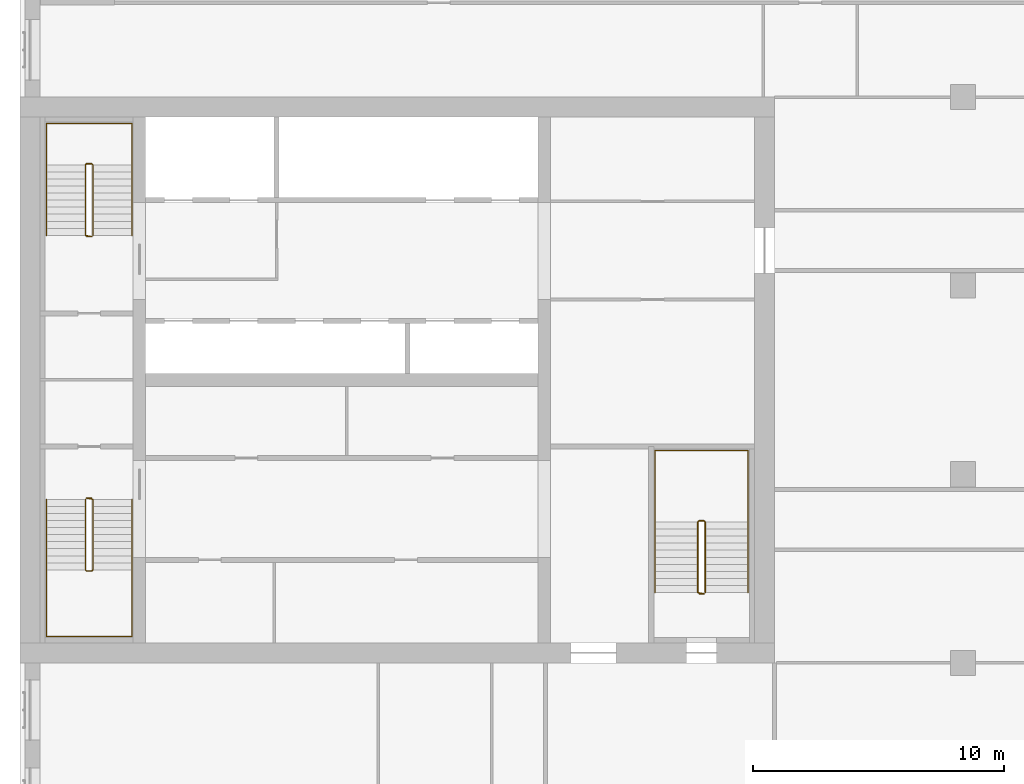
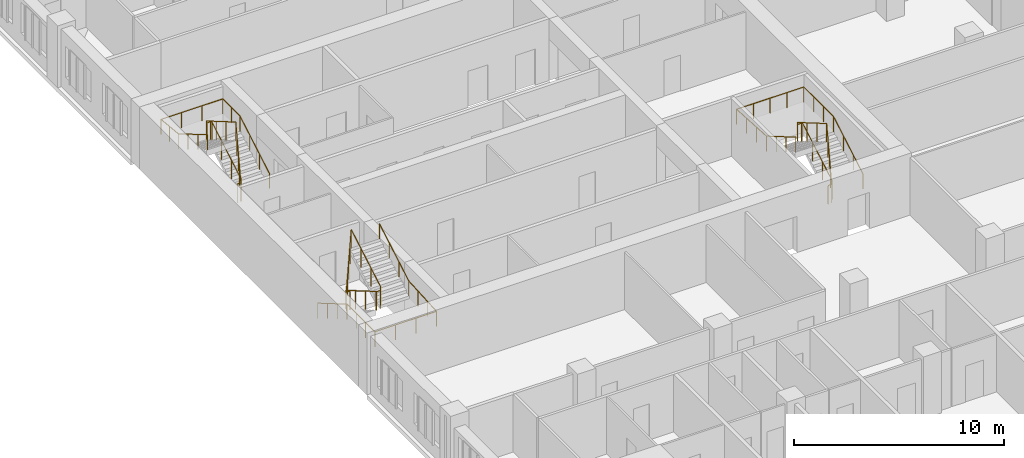
# One storey, part 14 of 14: 6 railings.
"""IFC4 building model written with IfcOpenShell, lengths in metres."""

from ifc_helpers import new_model, si_unit, direction, frame, origin, origin_2d, place, context, subcontext, project, spatial, circle, extrude, material, type_object, element, save


model = new_model("IFC4")

# Units and contexts
model_context = context("Model", 3, precision=1e-05, world=origin(), true_north=direction((0.0, 1.0)))
body_context = subcontext(model_context, "Body", "Model", "MODEL_VIEW")
ifc_project = project(units=[si_unit("LENGTHUNIT", "METRE"), si_unit("AREAUNIT", "SQUARE_METRE"), si_unit("VOLUMEUNIT", "CUBIC_METRE"), si_unit("PLANEANGLEUNIT", "RADIAN"), si_unit("MASSUNIT", "GRAM", prefix="KILO")], contexts=[model_context])

# Site, building, storey
site_placement = place(None, origin())
site = spatial("IfcSite", under=ifc_project, at=site_placement, CompositionType="ELEMENT")
building_placement = place(site_placement, origin())
building = spatial("IfcBuilding", under=site, at=building_placement, Name="Tamorin Gate", CompositionType="ELEMENT")
storey_placement = place(building_placement, frame((0.0, 0.0, 141.0)))
storey = spatial("IfcBuildingStorey", under=building, at=storey_placement, Name="L34", CompositionType="ELEMENT", Elevation=141.0)

# Railings
ifc_material_1 = material(Name="Painted steel balustrade", Category="steel")
railing_type_1 = type_object("IfcRailingType", Name="Stair guard 1100", PredefinedType="GUARDRAIL", material=ifc_material_1)
railing_1_placement = place(storey_placement, frame((32.60009765625, 66.5, 0.16357421875)))
element("IfcRailing", 1, at=railing_1_placement, inside=storey, type_object=railing_type_1, Name="L34 ST1 stair guard 1", PredefinedType="GUARDRAIL", context=body_context, shape_type="SweptSolid", body=[
    extrude(circle(Radius=0.02392578125, at=origin_2d()), frame((0.0, 0.0, 1.076171875), z_axis=(0.0, -0.863360870873, 0.504586966384), x_axis=(1.0, 0.0, 0.0)), (0.0, 0.0, 1.0), 3.2431640625),
    extrude(circle(Radius=0.02392578125, at=origin_2d()), frame((0.0, -2.800048828125, 2.71240234375), z_axis=(0.705375805398, -0.708833529934, 0.0), x_axis=(0.708833529934, 0.705375805398, 0.0)), (0.0, 0.0, 1.0), 0.070556640625),
    extrude(circle(Radius=0.02392578125, at=origin_2d()), frame((0.0498046875, -2.85009765625, 2.71240234375), z_axis=(1.0, 0.0, 0.0), x_axis=(0.0, 1.0, 0.0)), (0.0, 0.0, 1.0), 0.2001953125),
    extrude(circle(Radius=0.02392578125, at=origin_2d()), frame((0.25, -2.85009765625, 2.71240234375), z_axis=(0.279546231943, 0.280916556609, 0.91811752648), x_axis=(-0.708833529934, 0.705375805398, 0.0)), (0.0, 0.0, 1.0), 0.17822265625),
    extrude(circle(Radius=0.02392578125, at=origin_2d()), frame((0.2998046875, -2.800048828125, 2.8759765625), z_axis=(0.0, 0.863360870873, 0.504586966384), x_axis=(-1.0, 0.0, 0.0)), (0.0, 0.0, 1.0), 3.2431640625),
    extrude(circle(Radius=0.02392578125, at=origin_2d()), frame((0.2998046875, 0.0, 4.5126953125), z_axis=(-0.069269067181, 0.013867342551, -0.997501625634), x_axis=(-0.196300278283, -0.98054382908, 0.0)), (0.0, 0.0, 1.0), 3.609130859375),
    extrude(circle(Radius=0.02392578125, at=origin_2d()), frame((0.0498046875, 0.050048828125, 0.91259765625), z_axis=(1.0, 0.0, 0.0), x_axis=(0.0, 1.0, 0.0)), (0.0, 0.0, 1.0), 0.2001953125),
    extrude(circle(Radius=0.02099609375, at=origin_2d()), origin(), (0.0, 0.0, 1.0), 1.052001953125),
    extrude(circle(Radius=0.02099609375, at=origin_2d()), frame((0.0, -0.933349609375, 0.54541015625)), (0.0, 0.0, 1.0), 1.052001953125),
    extrude(circle(Radius=0.02099609375, at=origin_2d()), frame((0.0, -1.86669921875, 1.091064453125)), (0.0, 0.0, 1.0), 1.052001953125),
    extrude(circle(Radius=0.02099609375, at=origin_2d()), frame((0.0, -2.800048828125, 1.636474609375)), (0.0, 0.0, 1.0), 1.052001953125),
    extrude(circle(Radius=0.02099609375, at=origin_2d()), frame((0.0498046875, -2.85009765625, 1.636474609375)), (0.0, 0.0, 1.0), 1.052001953125),
    extrude(circle(Radius=0.02099609375, at=origin_2d()), frame((0.25, -2.85009765625, 1.636474609375)), (0.0, 0.0, 1.0), 1.052001953125),
    extrude(circle(Radius=0.02099609375, at=origin_2d()), frame((0.2998046875, -2.800048828125, 1.800048828125)), (0.0, 0.0, 1.0), 1.052001953125),
    extrude(circle(Radius=0.02099609375, at=origin_2d()), frame((0.2998046875, -1.86669921875, 2.345458984375)), (0.0, 0.0, 1.0), 1.052001953125),
    extrude(circle(Radius=0.02099609375, at=origin_2d()), frame((0.2998046875, -0.933349609375, 2.89111328125)), (0.0, 0.0, 1.0), 1.052001953125),
    extrude(circle(Radius=0.02099609375, at=origin_2d()), frame((0.2998046875, 0.0, 3.4365234375)), (0.0, 0.0, 1.0), 1.052001953125),
    extrude(circle(Radius=0.02099609375, at=origin_2d()), frame((0.2373046875, 0.012451171875, 2.53662109375)), (0.0, 0.0, 1.0), 1.052001953125),
    extrude(circle(Radius=0.02099609375, at=origin_2d()), frame((0.1748046875, 0.02490234375, 1.636474609375)), (0.0, 0.0, 1.0), 1.052001953125),
    extrude(circle(Radius=0.02099609375, at=origin_2d()), frame((0.1123046875, 0.03759765625, 0.736328125)), (0.0, 0.0, 1.0), 1.052001953125),
    extrude(circle(Radius=0.02099609375, at=origin_2d()), frame((0.0498046875, 0.050048828125, -0.16357421875)), (0.0, 0.0, 1.0), 1.052001953125),
    extrude(circle(Radius=0.02099609375, at=origin_2d()), frame((0.25, 0.050048828125, -0.16357421875)), (0.0, 0.0, 1.0), 1.052001953125),
])
railing_2_placement = place(storey_placement, frame((32.89990234375, 77.0, 0.16357421875)))
element("IfcRailing", 2, at=railing_2_placement, inside=storey, type_object=railing_type_1, Name="L34 ST2 stair guard 1", PredefinedType="GUARDRAIL", context=body_context, shape_type="SweptSolid", body=[
    extrude(circle(Radius=0.02392578125, at=origin_2d()), frame((0.0, 0.0, 1.076171875), z_axis=(0.0, 0.863360870873, 0.504586966384), x_axis=(-1.0, 0.0, 0.0)), (0.0, 0.0, 1.0), 3.2431640625),
    extrude(circle(Radius=0.02392578125, at=origin_2d()), frame((0.0, 2.800048828125, 2.71240234375), z_axis=(-0.705375805398, 0.708833529934, 0.0), x_axis=(-0.708833529934, -0.705375805398, 0.0)), (0.0, 0.0, 1.0), 0.070556640625),
    extrude(circle(Radius=0.02392578125, at=origin_2d()), frame((-0.0498046875, 2.85009765625, 2.71240234375), z_axis=(-1.0, 0.0, 0.0), x_axis=(0.0, -1.0, 0.0)), (0.0, 0.0, 1.0), 0.2001953125),
    extrude(circle(Radius=0.02392578125, at=origin_2d()), frame((-0.25, 2.85009765625, 2.71240234375), z_axis=(-0.279546231943, -0.280916556609, 0.91811752648), x_axis=(0.708833529934, -0.705375805398, 0.0)), (0.0, 0.0, 1.0), 0.17822265625),
    extrude(circle(Radius=0.02392578125, at=origin_2d()), frame((-0.2998046875, 2.800048828125, 2.8759765625), z_axis=(0.0, -0.863360870873, 0.504586966384), x_axis=(1.0, 0.0, 0.0)), (0.0, 0.0, 1.0), 3.2431640625),
    extrude(circle(Radius=0.02392578125, at=origin_2d()), frame((-0.2998046875, 0.0, 4.5126953125), z_axis=(0.069269067181, -0.013867342551, -0.997501625634), x_axis=(0.196300278283, 0.98054382908, 0.0)), (0.0, 0.0, 1.0), 3.609130859375),
    extrude(circle(Radius=0.02392578125, at=origin_2d()), frame((-0.0498046875, -0.050048828125, 0.91259765625), z_axis=(-1.0, 0.0, 0.0), x_axis=(0.0, -1.0, 0.0)), (0.0, 0.0, 1.0), 0.2001953125),
    extrude(circle(Radius=0.02099609375, at=origin_2d()), origin(), (0.0, 0.0, 1.0), 1.052001953125),
    extrude(circle(Radius=0.02099609375, at=origin_2d()), frame((0.0, 0.933349609375, 0.54541015625)), (0.0, 0.0, 1.0), 1.052001953125),
    extrude(circle(Radius=0.02099609375, at=origin_2d()), frame((0.0, 1.86669921875, 1.091064453125)), (0.0, 0.0, 1.0), 1.052001953125),
    extrude(circle(Radius=0.02099609375, at=origin_2d()), frame((0.0, 2.800048828125, 1.636474609375)), (0.0, 0.0, 1.0), 1.052001953125),
    extrude(circle(Radius=0.02099609375, at=origin_2d()), frame((-0.0498046875, 2.85009765625, 1.636474609375)), (0.0, 0.0, 1.0), 1.052001953125),
    extrude(circle(Radius=0.02099609375, at=origin_2d()), frame((-0.25, 2.85009765625, 1.636474609375)), (0.0, 0.0, 1.0), 1.052001953125),
    extrude(circle(Radius=0.02099609375, at=origin_2d()), frame((-0.2998046875, 2.800048828125, 1.800048828125)), (0.0, 0.0, 1.0), 1.052001953125),
    extrude(circle(Radius=0.02099609375, at=origin_2d()), frame((-0.2998046875, 1.86669921875, 2.345458984375)), (0.0, 0.0, 1.0), 1.052001953125),
    extrude(circle(Radius=0.02099609375, at=origin_2d()), frame((-0.2998046875, 0.933349609375, 2.89111328125)), (0.0, 0.0, 1.0), 1.052001953125),
    extrude(circle(Radius=0.02099609375, at=origin_2d()), frame((-0.2998046875, 0.0, 3.4365234375)), (0.0, 0.0, 1.0), 1.052001953125),
    extrude(circle(Radius=0.02099609375, at=origin_2d()), frame((-0.2373046875, -0.012451171875, 2.53662109375)), (0.0, 0.0, 1.0), 1.052001953125),
    extrude(circle(Radius=0.02099609375, at=origin_2d()), frame((-0.1748046875, -0.02490234375, 1.636474609375)), (0.0, 0.0, 1.0), 1.052001953125),
    extrude(circle(Radius=0.02099609375, at=origin_2d()), frame((-0.1123046875, -0.03759765625, 0.736328125)), (0.0, 0.0, 1.0), 1.052001953125),
    extrude(circle(Radius=0.02099609375, at=origin_2d()), frame((-0.0498046875, -0.050048828125, -0.16357421875)), (0.0, 0.0, 1.0), 1.052001953125),
    extrude(circle(Radius=0.02099609375, at=origin_2d()), frame((-0.25, -0.050048828125, -0.16357421875)), (0.0, 0.0, 1.0), 1.052001953125),
])
railing_3_placement = place(storey_placement, frame((57.25, 62.800048828125, 0.16357421875)))
element("IfcRailing", 3, at=railing_3_placement, inside=storey, type_object=railing_type_1, Name="L34 ST3 stair guard 1", PredefinedType="GUARDRAIL", context=body_context, shape_type="SweptSolid", body=[
    extrude(circle(Radius=0.02392578125, at=origin_2d()), frame((0.0, 0.0, 1.076171875), z_axis=(0.0, 0.863360870873, 0.504586966384), x_axis=(-1.0, 0.0, 0.0)), (0.0, 0.0, 1.0), 3.2431640625),
    extrude(circle(Radius=0.02392578125, at=origin_2d()), frame((0.0, 2.800048828125, 2.71240234375), z_axis=(-0.708833529934, 0.705375805398, 0.0), x_axis=(-0.705375805398, -0.708833529934, 0.0)), (0.0, 0.0, 1.0), 0.070556640625),
    extrude(circle(Radius=0.02392578125, at=origin_2d()), frame((-0.050048828125, 2.849853515625, 2.71240234375), z_axis=(-1.0, 0.0, 0.0), x_axis=(0.0, -1.0, 0.0)), (0.0, 0.0, 1.0), 0.199951171875),
    extrude(circle(Radius=0.02392578125, at=origin_2d()), frame((-0.25, 2.849853515625, 2.71240234375), z_axis=(-0.280916556609, -0.279546231943, 0.91811752648), x_axis=(0.705375805398, -0.708833529934, 0.0)), (0.0, 0.0, 1.0), 0.17822265625),
    extrude(circle(Radius=0.02392578125, at=origin_2d()), frame((-0.300048828125, 2.800048828125, 2.8759765625), z_axis=(0.0, -0.863360870873, 0.504586966384), x_axis=(1.0, 0.0, 0.0)), (0.0, 0.0, 1.0), 3.2431640625),
    extrude(circle(Radius=0.02392578125, at=origin_2d()), frame((-0.300048828125, 0.0, 4.5126953125), z_axis=(0.069269067181, -0.013867342551, -0.997501625634), x_axis=(0.196300278283, 0.98054382908, 0.0)), (0.0, 0.0, 1.0), 3.609130859375),
    extrude(circle(Radius=0.02392578125, at=origin_2d()), frame((-0.050048828125, -0.050048828125, 0.91259765625), z_axis=(-1.0, 0.0, 0.0), x_axis=(0.0, -1.0, 0.0)), (0.0, 0.0, 1.0), 0.199951171875),
    extrude(circle(Radius=0.02099609375, at=origin_2d()), origin(), (0.0, 0.0, 1.0), 1.052001953125),
    extrude(circle(Radius=0.02099609375, at=origin_2d()), frame((0.0, 0.933349609375, 0.54541015625)), (0.0, 0.0, 1.0), 1.052001953125),
    extrude(circle(Radius=0.02099609375, at=origin_2d()), frame((0.0, 1.86669921875, 1.091064453125)), (0.0, 0.0, 1.0), 1.052001953125),
    extrude(circle(Radius=0.02099609375, at=origin_2d()), frame((0.0, 2.800048828125, 1.636474609375)), (0.0, 0.0, 1.0), 1.052001953125),
    extrude(circle(Radius=0.02099609375, at=origin_2d()), frame((-0.050048828125, 2.849853515625, 1.636474609375)), (0.0, 0.0, 1.0), 1.052001953125),
    extrude(circle(Radius=0.02099609375, at=origin_2d()), frame((-0.25, 2.849853515625, 1.636474609375)), (0.0, 0.0, 1.0), 1.052001953125),
    extrude(circle(Radius=0.02099609375, at=origin_2d()), frame((-0.300048828125, 2.800048828125, 1.800048828125)), (0.0, 0.0, 1.0), 1.052001953125),
    extrude(circle(Radius=0.02099609375, at=origin_2d()), frame((-0.300048828125, 1.86669921875, 2.345458984375)), (0.0, 0.0, 1.0), 1.052001953125),
    extrude(circle(Radius=0.02099609375, at=origin_2d()), frame((-0.300048828125, 0.933349609375, 2.89111328125)), (0.0, 0.0, 1.0), 1.052001953125),
    extrude(circle(Radius=0.02099609375, at=origin_2d()), frame((-0.300048828125, 0.0, 3.4365234375)), (0.0, 0.0, 1.0), 1.052001953125),
    extrude(circle(Radius=0.02099609375, at=origin_2d()), frame((-0.237548828125, -0.012451171875, 2.53662109375)), (0.0, 0.0, 1.0), 1.052001953125),
    extrude(circle(Radius=0.02099609375, at=origin_2d()), frame((-0.175048828125, -0.02490234375, 1.636474609375)), (0.0, 0.0, 1.0), 1.052001953125),
    extrude(circle(Radius=0.02099609375, at=origin_2d()), frame((-0.112548828125, -0.03759765625, 0.736328125)), (0.0, 0.0, 1.0), 1.052001953125),
    extrude(circle(Radius=0.02099609375, at=origin_2d()), frame((-0.050048828125, -0.050048828125, -0.16357421875)), (0.0, 0.0, 1.0), 1.052001953125),
    extrude(circle(Radius=0.02099609375, at=origin_2d()), frame((-0.25, -0.050048828125, -0.16357421875)), (0.0, 0.0, 1.0), 1.052001953125),
])
ifc_material_2 = material(Name="Painted steel handrail", Category="steel")
railing_type_2 = type_object("IfcRailingType", Name="Stair handrail 900", PredefinedType="HANDRAIL", material=ifc_material_2)
railing_4_placement = place(storey_placement, frame((31.050048828125, 66.5, 0.16357421875)))
element("IfcRailing", 4, at=railing_4_placement, inside=storey, type_object=railing_type_2, Name="L34 ST1 stair handrail 1", PredefinedType="HANDRAIL", context=body_context, shape_type="SweptSolid", body=[
    extrude(circle(Radius=0.02392578125, at=origin_2d()), frame((0.0, 0.0, 0.8759765625), z_axis=(0.0, -0.863360870873, 0.504586966384), x_axis=(1.0, 0.0, 0.0)), (0.0, 0.0, 1.0), 3.2431640625),
    extrude(circle(Radius=0.02392578125, at=origin_2d()), frame((0.0, -2.800048828125, 2.51220703125), z_axis=(0.0, -1.0, 0.0), x_axis=(1.0, 0.0, 0.0)), (0.0, 0.0, 1.0), 2.64990234375),
    extrude(circle(Radius=0.02392578125, at=origin_2d()), frame((0.0, -5.449951171875, 2.51220703125), z_axis=(1.0, 0.0, 0.0), x_axis=(0.0, 1.0, 0.0)), (0.0, 0.0, 1.0), 3.39990234375),
    extrude(circle(Radius=0.02392578125, at=origin_2d()), frame((3.39990234375, -5.449951171875, 2.51220703125), z_axis=(0.0, 0.998100230056, 0.061611125312), x_axis=(-1.0, 0.0, 0.0)), (0.0, 0.0, 1.0), 2.655029296875),
    extrude(circle(Radius=0.02392578125, at=origin_2d()), frame((3.39990234375, -2.800048828125, 2.67578125), z_axis=(0.0, 0.863360870873, 0.504586966384), x_axis=(-1.0, 0.0, 0.0)), (0.0, 0.0, 1.0), 3.2431640625),
    extrude(circle(Radius=0.02099609375, at=origin_2d()), origin(), (0.0, 0.0, 1.0), 0.851806640625),
    extrude(circle(Radius=0.02099609375, at=origin_2d()), frame((0.0, -0.933349609375, 0.54541015625)), (0.0, 0.0, 1.0), 0.851806640625),
    extrude(circle(Radius=0.02099609375, at=origin_2d()), frame((0.0, -1.86669921875, 1.091064453125)), (0.0, 0.0, 1.0), 0.851806640625),
    extrude(circle(Radius=0.02099609375, at=origin_2d()), frame((0.0, -2.800048828125, 1.636474609375)), (0.0, 0.0, 1.0), 0.851806640625),
    extrude(circle(Radius=0.02099609375, at=origin_2d()), frame((0.0, -3.683349609375, 1.636474609375)), (0.0, 0.0, 1.0), 0.851806640625),
    extrude(circle(Radius=0.02099609375, at=origin_2d()), frame((0.0, -4.566650390625, 1.636474609375)), (0.0, 0.0, 1.0), 0.851806640625),
    extrude(circle(Radius=0.02099609375, at=origin_2d()), frame((0.0, -5.449951171875, 1.636474609375)), (0.0, 0.0, 1.0), 0.851806640625),
    extrude(circle(Radius=0.02099609375, at=origin_2d()), frame((1.13330078125, -5.449951171875, 1.636474609375)), (0.0, 0.0, 1.0), 0.851806640625),
    extrude(circle(Radius=0.02099609375, at=origin_2d()), frame((2.2666015625, -5.449951171875, 1.636474609375)), (0.0, 0.0, 1.0), 0.851806640625),
    extrude(circle(Radius=0.02099609375, at=origin_2d()), frame((3.39990234375, -5.449951171875, 1.636474609375)), (0.0, 0.0, 1.0), 0.851806640625),
    extrude(circle(Radius=0.02099609375, at=origin_2d()), frame((3.39990234375, -4.566650390625, 1.69091796875)), (0.0, 0.0, 1.0), 0.851806640625),
    extrude(circle(Radius=0.02099609375, at=origin_2d()), frame((3.39990234375, -3.683349609375, 1.74560546875)), (0.0, 0.0, 1.0), 0.851806640625),
    extrude(circle(Radius=0.02099609375, at=origin_2d()), frame((3.39990234375, -2.800048828125, 1.800048828125)), (0.0, 0.0, 1.0), 0.851806640625),
    extrude(circle(Radius=0.02099609375, at=origin_2d()), frame((3.39990234375, -1.86669921875, 2.345458984375)), (0.0, 0.0, 1.0), 0.851806640625),
    extrude(circle(Radius=0.02099609375, at=origin_2d()), frame((3.39990234375, -0.933349609375, 2.89111328125)), (0.0, 0.0, 1.0), 0.851806640625),
    extrude(circle(Radius=0.02099609375, at=origin_2d()), frame((3.39990234375, 0.0, 3.4365234375)), (0.0, 0.0, 1.0), 0.851806640625),
])
railing_5_placement = place(storey_placement, frame((34.449951171875, 77.0, 0.16357421875)))
element("IfcRailing", 5, at=railing_5_placement, inside=storey, type_object=railing_type_2, Name="L34 ST2 stair handrail 1", PredefinedType="HANDRAIL", context=body_context, shape_type="SweptSolid", body=[
    extrude(circle(Radius=0.02392578125, at=origin_2d()), frame((0.0, 0.0, 0.8759765625), z_axis=(0.0, 0.863360870873, 0.504586966384), x_axis=(-1.0, 0.0, 0.0)), (0.0, 0.0, 1.0), 3.2431640625),
    extrude(circle(Radius=0.02392578125, at=origin_2d()), frame((0.0, 2.800048828125, 2.51220703125), z_axis=(0.0, 1.0, 0.0), x_axis=(-1.0, 0.0, 0.0)), (0.0, 0.0, 1.0), 1.64990234375),
    extrude(circle(Radius=0.02392578125, at=origin_2d()), frame((0.0, 4.449951171875, 2.51220703125), z_axis=(-1.0, 0.0, 0.0), x_axis=(0.0, -1.0, 0.0)), (0.0, 0.0, 1.0), 3.39990234375),
    extrude(circle(Radius=0.02392578125, at=origin_2d()), frame((-3.39990234375, 4.449951171875, 2.51220703125), z_axis=(0.0, -0.995121390814, 0.098658084026), x_axis=(1.0, 0.0, 0.0)), (0.0, 0.0, 1.0), 1.657958984375),
    extrude(circle(Radius=0.02392578125, at=origin_2d()), frame((-3.39990234375, 2.800048828125, 2.67578125), z_axis=(0.0, -0.863360870873, 0.504586966384), x_axis=(1.0, 0.0, 0.0)), (0.0, 0.0, 1.0), 3.2431640625),
    extrude(circle(Radius=0.02099609375, at=origin_2d()), origin(), (0.0, 0.0, 1.0), 0.851806640625),
    extrude(circle(Radius=0.02099609375, at=origin_2d()), frame((0.0, 0.933349609375, 0.54541015625)), (0.0, 0.0, 1.0), 0.851806640625),
    extrude(circle(Radius=0.02099609375, at=origin_2d()), frame((0.0, 1.86669921875, 1.091064453125)), (0.0, 0.0, 1.0), 0.851806640625),
    extrude(circle(Radius=0.02099609375, at=origin_2d()), frame((0.0, 2.800048828125, 1.636474609375)), (0.0, 0.0, 1.0), 0.851806640625),
    extrude(circle(Radius=0.02099609375, at=origin_2d()), frame((0.0, 3.625, 1.636474609375)), (0.0, 0.0, 1.0), 0.851806640625),
    extrude(circle(Radius=0.02099609375, at=origin_2d()), frame((0.0, 4.449951171875, 1.636474609375)), (0.0, 0.0, 1.0), 0.851806640625),
    extrude(circle(Radius=0.02099609375, at=origin_2d()), frame((-1.13330078125, 4.449951171875, 1.636474609375)), (0.0, 0.0, 1.0), 0.851806640625),
    extrude(circle(Radius=0.02099609375, at=origin_2d()), frame((-2.2666015625, 4.449951171875, 1.636474609375)), (0.0, 0.0, 1.0), 0.851806640625),
    extrude(circle(Radius=0.02099609375, at=origin_2d()), frame((-3.39990234375, 4.449951171875, 1.636474609375)), (0.0, 0.0, 1.0), 0.851806640625),
    extrude(circle(Radius=0.02099609375, at=origin_2d()), frame((-3.39990234375, 3.625, 1.71826171875)), (0.0, 0.0, 1.0), 0.851806640625),
    extrude(circle(Radius=0.02099609375, at=origin_2d()), frame((-3.39990234375, 2.800048828125, 1.800048828125)), (0.0, 0.0, 1.0), 0.851806640625),
    extrude(circle(Radius=0.02099609375, at=origin_2d()), frame((-3.39990234375, 1.86669921875, 2.345458984375)), (0.0, 0.0, 1.0), 0.851806640625),
    extrude(circle(Radius=0.02099609375, at=origin_2d()), frame((-3.39990234375, 0.933349609375, 2.89111328125)), (0.0, 0.0, 1.0), 0.851806640625),
    extrude(circle(Radius=0.02099609375, at=origin_2d()), frame((-3.39990234375, 0.0, 3.4365234375)), (0.0, 0.0, 1.0), 0.851806640625),
])
railing_6_placement = place(storey_placement, frame((58.949951171875, 62.800048828125, 0.16357421875)))
element("IfcRailing", 6, at=railing_6_placement, inside=storey, type_object=railing_type_2, Name="L34 ST3 stair handrail 1", PredefinedType="HANDRAIL", context=body_context, shape_type="SweptSolid", body=[
    extrude(circle(Radius=0.02392578125, at=origin_2d()), frame((0.0, 0.0, 0.8759765625), z_axis=(0.0, 0.863360870873, 0.504586966384), x_axis=(-1.0, 0.0, 0.0)), (0.0, 0.0, 1.0), 3.2431640625),
    extrude(circle(Radius=0.02392578125, at=origin_2d()), frame((0.0, 2.800048828125, 2.51220703125), z_axis=(0.0, 1.0, 0.0), x_axis=(-1.0, 0.0, 0.0)), (0.0, 0.0, 1.0), 2.849853515625),
    extrude(circle(Radius=0.02392578125, at=origin_2d()), frame((0.0, 5.64990234375, 2.51220703125), z_axis=(-1.0, 0.0, 0.0), x_axis=(0.0, -1.0, 0.0)), (0.0, 0.0, 1.0), 3.699951171875),
    extrude(circle(Radius=0.02392578125, at=origin_2d()), frame((-3.699951171875, 5.64990234375, 2.51220703125), z_axis=(0.0, -0.998356827416, 0.057303098978), x_axis=(1.0, 0.0, 0.0)), (0.0, 0.0, 1.0), 2.8544921875),
    extrude(circle(Radius=0.02392578125, at=origin_2d()), frame((-3.699951171875, 2.800048828125, 2.67578125), z_axis=(0.0, -0.863360870873, 0.504586966384), x_axis=(1.0, 0.0, 0.0)), (0.0, 0.0, 1.0), 3.2431640625),
    extrude(circle(Radius=0.02099609375, at=origin_2d()), origin(), (0.0, 0.0, 1.0), 0.851806640625),
    extrude(circle(Radius=0.02099609375, at=origin_2d()), frame((0.0, 0.933349609375, 0.54541015625)), (0.0, 0.0, 1.0), 0.851806640625),
    extrude(circle(Radius=0.02099609375, at=origin_2d()), frame((0.0, 1.86669921875, 1.091064453125)), (0.0, 0.0, 1.0), 0.851806640625),
    extrude(circle(Radius=0.02099609375, at=origin_2d()), frame((0.0, 2.800048828125, 1.636474609375)), (0.0, 0.0, 1.0), 0.851806640625),
    extrude(circle(Radius=0.02099609375, at=origin_2d()), frame((0.0, 3.75, 1.636474609375)), (0.0, 0.0, 1.0), 0.851806640625),
    extrude(circle(Radius=0.02099609375, at=origin_2d()), frame((0.0, 4.699951171875, 1.636474609375)), (0.0, 0.0, 1.0), 0.851806640625),
    extrude(circle(Radius=0.02099609375, at=origin_2d()), frame((0.0, 5.64990234375, 1.636474609375)), (0.0, 0.0, 1.0), 0.851806640625),
    extrude(circle(Radius=0.02099609375, at=origin_2d()), frame((-0.925048828125, 5.64990234375, 1.636474609375)), (0.0, 0.0, 1.0), 0.851806640625),
    extrude(circle(Radius=0.02099609375, at=origin_2d()), frame((-1.85009765625, 5.64990234375, 1.636474609375)), (0.0, 0.0, 1.0), 0.851806640625),
    extrude(circle(Radius=0.02099609375, at=origin_2d()), frame((-2.77490234375, 5.64990234375, 1.636474609375)), (0.0, 0.0, 1.0), 0.851806640625),
    extrude(circle(Radius=0.02099609375, at=origin_2d()), frame((-3.699951171875, 5.64990234375, 1.636474609375)), (0.0, 0.0, 1.0), 0.851806640625),
    extrude(circle(Radius=0.02099609375, at=origin_2d()), frame((-3.699951171875, 4.699951171875, 1.69091796875)), (0.0, 0.0, 1.0), 0.851806640625),
    extrude(circle(Radius=0.02099609375, at=origin_2d()), frame((-3.699951171875, 3.75, 1.74560546875)), (0.0, 0.0, 1.0), 0.851806640625),
    extrude(circle(Radius=0.02099609375, at=origin_2d()), frame((-3.699951171875, 2.800048828125, 1.800048828125)), (0.0, 0.0, 1.0), 0.851806640625),
    extrude(circle(Radius=0.02099609375, at=origin_2d()), frame((-3.699951171875, 1.86669921875, 2.345458984375)), (0.0, 0.0, 1.0), 0.851806640625),
    extrude(circle(Radius=0.02099609375, at=origin_2d()), frame((-3.699951171875, 0.933349609375, 2.89111328125)), (0.0, 0.0, 1.0), 0.851806640625),
    extrude(circle(Radius=0.02099609375, at=origin_2d()), frame((-3.699951171875, 0.0, 3.4365234375)), (0.0, 0.0, 1.0), 0.851806640625),
])

save(model, "model.ifc")
